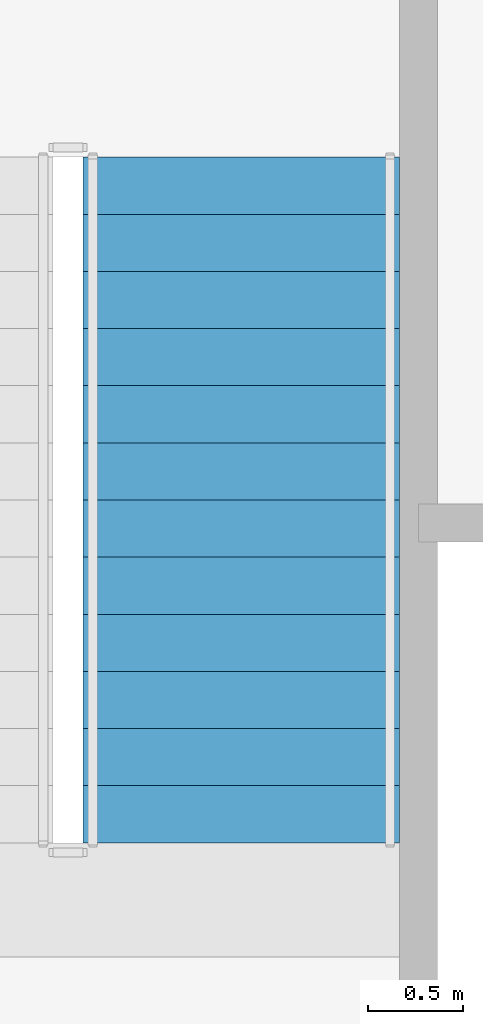
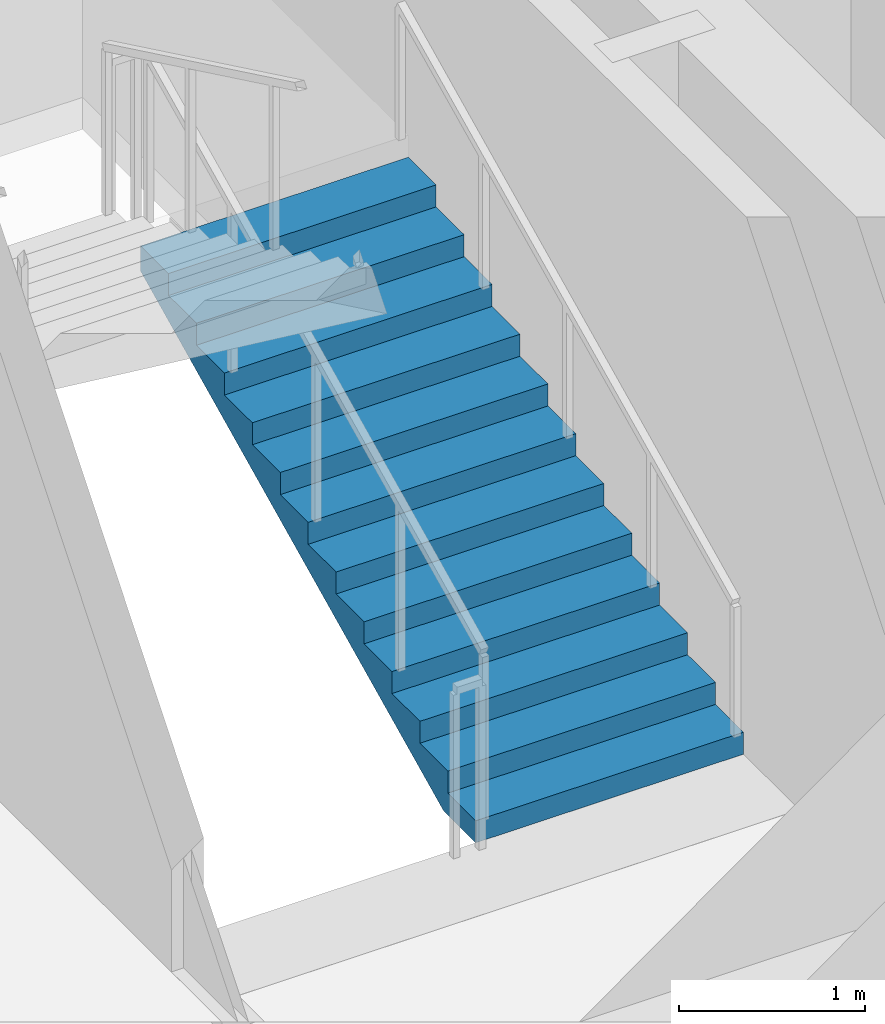
# One storey, part 20 of 22: 1 stair flight, 1 element without a shape of its own.
"""IFC4 building model written with IfcOpenShell, lengths in metres."""

from ifc_helpers import new_model, si_unit, direction, frame, origin, place, context, subcontext, project, spatial, polyline, outline, extrude, material, type_object, element, aggregate, save


model = new_model("IFC4")

# Units and contexts
model_context = context("Model", 3, precision=1e-05, world=origin(), true_north=direction((0.0, 1.0)))
body_context = subcontext(model_context, "Body", "Model", "MODEL_VIEW")
ifc_project = project(units=[si_unit("LENGTHUNIT", "METRE"), si_unit("AREAUNIT", "SQUARE_METRE"), si_unit("VOLUMEUNIT", "CUBIC_METRE"), si_unit("PLANEANGLEUNIT", "RADIAN"), si_unit("MASSUNIT", "GRAM", prefix="KILO"), si_unit("THERMODYNAMICTEMPERATUREUNIT", "KELVIN"), si_unit("POWERUNIT", "WATT")], contexts=[model_context])

# Site, building, storey
site_placement = place(None, origin())
site = spatial("IfcSite", under=ifc_project, at=site_placement, CompositionType="ELEMENT")
building_placement = place(site_placement, origin())
building = spatial("IfcBuilding", under=site, at=building_placement, Name="Svarakhadi Broadcast Tower", CompositionType="ELEMENT")
storey_placement = place(building_placement, frame((0.0, 0.0, 191.699951171875)))
storey = spatial("IfcBuildingStorey", under=building, at=storey_placement, Name="L47", CompositionType="ELEMENT", Elevation=191.699951171875)

# Stair, stair flight
ifc_material = material(Name="Concrete C40/50 (IS 456 M50)", Category="concrete")
stair_type = type_object("IfcStairType", Name="Stair_Exit_Core", PredefinedType="HALF_TURN_STAIR", material=ifc_material)
stair_placement = place(storey_placement, origin())
stair = element("IfcStair", 1, at=stair_placement, inside=storey, type_object=stair_type, Name="L47 East Core Protected Exit Stair ST-02", PredefinedType="HALF_TURN_STAIR")
stair_flight_type = type_object("IfcStairFlightType", Name="Flight_RC_1680", PredefinedType="STRAIGHT", material=ifc_material)
stair_flight_placement = place(storey_placement, frame((32.010009765625, 7.97998046875, 0.0), z_axis=(0.0, 0.0, 1.0), x_axis=(0.0, 1.0, 0.0)))
stair_flight = element("IfcStairFlight", 2, at=stair_flight_placement, type_object=stair_flight_type, Name="ST-02 flight 1", NumberOfRisers=13, NumberOfTreads=12, PredefinedType="STRAIGHT", RiserHeight=0.144230769, TreadLength=0.3, context=body_context, shape_type="SweptSolid", body=[
    extrude(outline(polyline([(0.0, 0.0), (0.0, 0.144287109375), (0.300048828125, 0.144287109375), (0.300048828125, 0.28857421875), (0.60009765625, 0.28857421875), (0.60009765625, 0.4326171875), (0.89990234375, 0.4326171875), (0.89990234375, 0.576904296875), (1.199951171875, 0.576904296875), (1.199951171875, 0.72119140625), (1.5, 0.72119140625), (1.5, 0.865478515625), (1.800048828125, 0.865478515625), (1.800048828125, 1.009521484375), (2.10009765625, 1.009521484375), (2.10009765625, 1.15380859375), (2.39990234375, 1.15380859375), (2.39990234375, 1.298095703125), (2.699951171875, 1.298095703125), (2.699951171875, 1.4423828125), (3.0, 1.4423828125), (3.0, 1.58642578125), (3.300048828125, 1.58642578125), (3.300048828125, 1.730712890625), (3.60009765625, 1.730712890625), (3.60009765625, 1.875), (3.60009765625, 1.564453125), (0.345947265625, 0.0), (0.0, 0.0)])), frame((0.0, 0.830078125, 0.0), z_axis=(0.0, -1.0, 0.0), x_axis=(1.0, 0.0, 0.0)), (0.0, 0.0, 1.0), 1.659912109375),
])
aggregate(stair, [stair_flight])

save(model, "model.ifc")
